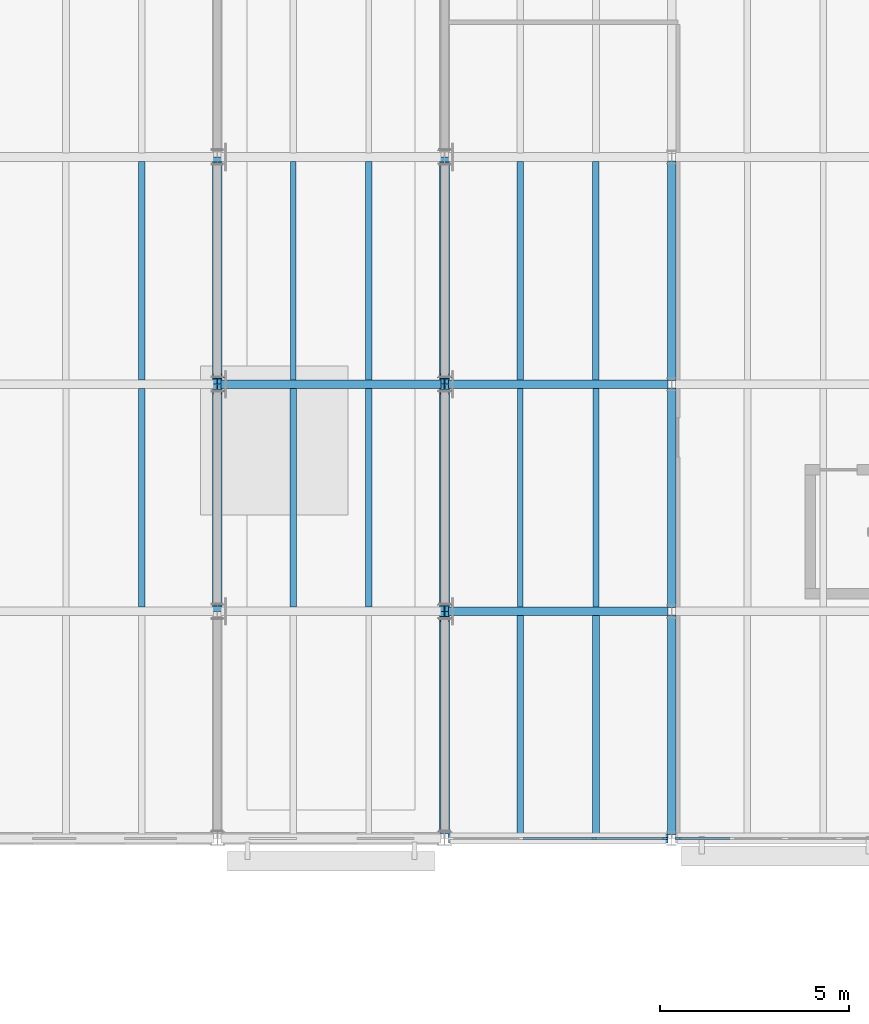
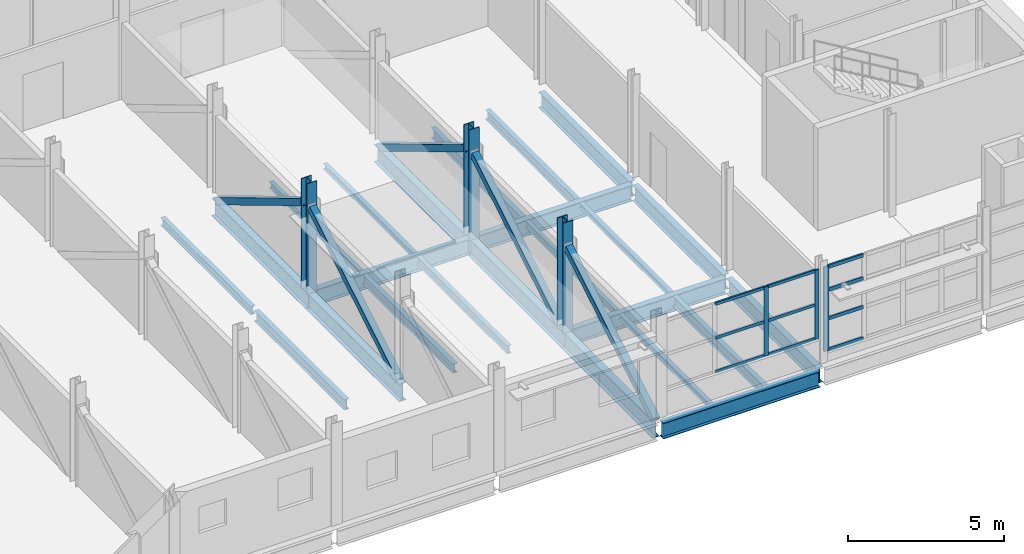
# One storey, part 21 of 92: 24 beams, 21 members, 2 elements without a shape of their own.
"""IFC4 building model written with IfcOpenShell, lengths in metres."""

from ifc_helpers import new_model, si_unit, direction, frame, origin, origin_2d, place, context, subcontext, project, spatial, rectangle, hollow_rectangle, i_section, extrude, material, material_profile, profile_set, type_object, element, aggregate, save


model = new_model("IFC4")

# Units and contexts
model_context = context("Model", 3, precision=1e-05, world=origin(), true_north=direction((0.0, 1.0)))
body_context = subcontext(model_context, "Body", "Model", "MODEL_VIEW")
ifc_project = project(units=[si_unit("LENGTHUNIT", "METRE"), si_unit("AREAUNIT", "SQUARE_METRE"), si_unit("VOLUMEUNIT", "CUBIC_METRE"), si_unit("PLANEANGLEUNIT", "RADIAN"), si_unit("MASSUNIT", "GRAM", prefix="KILO")], contexts=[model_context])

# Site, building, storey
site_placement = place(None, origin())
site = spatial("IfcSite", under=ifc_project, at=site_placement, CompositionType="ELEMENT")
building_placement = place(site_placement, origin())
building = spatial("IfcBuilding", under=site, at=building_placement, Name="Siltcreek Boulevard Central Fire Station", CompositionType="ELEMENT")
storey_placement = place(building_placement, frame((0.0, 0.0, 6.0)))
storey = spatial("IfcBuildingStorey", under=building, at=storey_placement, Name="L02", CompositionType="ELEMENT", Elevation=6.0)

# Beams
ifc_material_1 = material(Name="Structural steel ASTM A992 Gr50", Category="steel")
ifc_material_profile_1 = material_profile(ifc_material_1, i_section(OverallWidth=0.22802734375, OverallDepth=0.60791015625, WebThickness=0.01123046875, FlangeThickness=0.017333984375, at=origin_2d()), Name="W610X113")
ifc_profile_set_1 = profile_set([ifc_material_profile_1], Name="Structural steel ASTM A992 Gr50")
beam_type_1 = type_object("IfcBeamType", Name="BM_W610X113", PredefinedType="BEAM", material=ifc_profile_set_1)
for number, where, z_axis, x_axis, name in (
    (1, (96.0, 18.10009765625, -0.6240234375), (0.0, 1.0, 0.0), (-1.0, 0.0, 0.0), "L02 primary steel girder GY-0100"),
    (2, (96.0, 24.10009765625, -0.6240234375), (0.0, 1.0, 0.0), (-1.0, 0.0, 0.0), "L02 primary steel girder GY-0101"),
    (3, (96.0, 30.10009765625, -0.6240234375), (0.0, 1.0, 0.0), (-1.0, 0.0, 0.0), "L02 primary steel girder GY-0102"),
):
    element("IfcBeam", number, at=place(storey_placement, frame(where, z_axis=z_axis, x_axis=x_axis)), inside=storey, type_object=beam_type_1, Name=name, PredefinedType="BEAM", context=body_context, shape_type="SweptSolid", body=[
        extrude(i_section(OverallWidth=0.22802734375, OverallDepth=0.60791015625, WebThickness=0.01123046875, FlangeThickness=0.017333984375, at=origin_2d()), origin(), (0.0, 0.0, 1.0), 5.7998046875),
    ])
ifc_material_profile_2 = material_profile(ifc_material_1, i_section(OverallWidth=0.22998046875, OverallDepth=0.616943359375, WebThickness=0.01318359375, FlangeThickness=0.022216796875, at=origin_2d()), Name="W610X140")
ifc_profile_set_2 = profile_set([ifc_material_profile_2], Name="Structural steel ASTM A992 Gr50")
beam_type_2 = type_object("IfcBeamType", Name="BM_W610X140", PredefinedType="BEAM", material=ifc_profile_set_2)
for number, where, z_axis, x_axis, name in (
    (4, (90.10009765625, 18.0, -0.62841796875), (1.0, 0.0, 0.0), (0.0, 1.0, 0.0), "L02 primary steel girder GX-0048"),
    (5, (90.10009765625, 24.0, -0.62841796875), (1.0, 0.0, 0.0), (0.0, 1.0, 0.0), "L02 primary steel girder GX-0055"),
    (6, (84.10009765625, 30.0, -0.62841796875), (1.0, 0.0, 0.0), (0.0, 1.0, 0.0), "L02 primary steel girder GX-0061"),
    (7, (90.10009765625, 30.0, -0.62841796875), (1.0, 0.0, 0.0), (0.0, 1.0, 0.0), "L02 primary steel girder GX-0062"),
):
    element("IfcBeam", number, at=place(storey_placement, frame(where, z_axis=z_axis, x_axis=x_axis)), inside=storey, type_object=beam_type_2, Name=name, PredefinedType="BEAM", context=body_context, shape_type="SweptSolid", body=[
        extrude(i_section(OverallWidth=0.22998046875, OverallDepth=0.616943359375, WebThickness=0.01318359375, FlangeThickness=0.022216796875, at=origin_2d()), origin(), (0.0, 0.0, 1.0), 5.7998046875),
    ])
ifc_material_profile_3 = material_profile(ifc_material_1, i_section(OverallWidth=0.256103515625, OverallDepth=0.693115234375, WebThickness=0.014404296875, FlangeThickness=0.023681640625, at=origin_2d()), Name="W690X170")
ifc_profile_set_3 = profile_set([ifc_material_profile_3], Name="Structural steel ASTM A992 Gr50")
beam_type_3 = type_object("IfcBeamType", Name="BM_W690X170", PredefinedType="BEAM", material=ifc_profile_set_3)
for number, where, z_axis, x_axis, name in (
    (8, (84.0, 24.001953125, -0.66650390625), (0.0, 1.0, 0.0), (-1.0, 0.0, 0.0), "Pratt transfer truss TT4 bottom chord panel 2"),
    (9, (84.0, 30.001953125, -0.66650390625), (0.0, 1.0, 0.0), (-1.0, 0.0, 0.0), "Pratt transfer truss TT4 bottom chord panel 3"),
):
    element("IfcBeam", number, at=place(storey_placement, frame(where, z_axis=z_axis, x_axis=x_axis)), inside=storey, type_object=beam_type_3, Name=name, PredefinedType="BEAM", context=body_context, shape_type="SweptSolid", body=[
        extrude(i_section(OverallWidth=0.256103515625, OverallDepth=0.693115234375, WebThickness=0.014404296875, FlangeThickness=0.023681640625, at=origin_2d()), origin(), (0.0, 0.0, 1.0), 5.99609375),
    ])
beam_placement = place(storey_placement, frame((90.0, 18.18505859375, -0.66650390625), z_axis=(0.0, 1.0, 0.0), x_axis=(-1.0, 0.0, 0.0)))
element("IfcBeam", 10, at=beam_placement, inside=storey, type_object=beam_type_3, Name="Pratt transfer truss TT5 bottom chord panel 1", PredefinedType="BEAM", context=body_context, shape_type="SweptSolid", body=[
    extrude(i_section(OverallWidth=0.256103515625, OverallDepth=0.693115234375, WebThickness=0.014404296875, FlangeThickness=0.023681640625, at=origin_2d()), origin(), (0.0, 0.0, 1.0), 5.81298828125),
])
for number, where, z_axis, x_axis, name in (
    (11, (90.0, 24.001953125, -0.66650390625), (0.0, 1.0, 0.0), (-1.0, 0.0, 0.0), "Pratt transfer truss TT5 bottom chord panel 2"),
    (12, (90.0, 30.001953125, -0.66650390625), (0.0, 1.0, 0.0), (-1.0, 0.0, 0.0), "Pratt transfer truss TT5 bottom chord panel 3"),
):
    element("IfcBeam", number, at=place(storey_placement, frame(where, z_axis=z_axis, x_axis=x_axis)), inside=storey, type_object=beam_type_3, Name=name, PredefinedType="BEAM", context=body_context, shape_type="SweptSolid", body=[
        extrude(i_section(OverallWidth=0.256103515625, OverallDepth=0.693115234375, WebThickness=0.014404296875, FlangeThickness=0.023681640625, at=origin_2d()), origin(), (0.0, 0.0, 1.0), 5.99609375),
    ])

# Members
ifc_material_2 = material(Name="Structural steel ASTM A500 GrC", Category="steel")
ifc_material_profile_4 = material_profile(ifc_material_2, hollow_rectangle(XDim=0.25, YDim=0.25, WallThickness=0.012451171875, at=origin_2d()), Name="HSS250X250X12.5")
ifc_profile_set_4 = profile_set([ifc_material_profile_4], Name="Structural steel ASTM A500 GrC")
member_type_1 = type_object("IfcMemberType", Name="BR_HSS250_12", PredefinedType="BRACE", material=ifc_profile_set_4)
for number, where, z_axis, x_axis, name in (
    (13, (84.0, 24.199951171875, -0.324462890625), (0.0, 0.857769965344, 0.514033740676), (-1.0, 0.0, 0.0), "Pratt transfer truss TT4 diagonal web 2"),
    (14, (84.0, 35.800048828125, -0.324462890625), (0.0, -0.857769965344, 0.514033740676), (1.0, 0.0, 0.0), "Pratt transfer truss TT4 diagonal web 3"),
    (15, (90.0, 18.199951171875, -0.324462890625), (0.0, 0.857769965344, 0.514033740676), (-1.0, 0.0, 0.0), "Pratt transfer truss TT5 diagonal web 1"),
    (16, (90.0, 24.199951171875, -0.324462890625), (0.0, 0.857769965344, 0.514033740676), (-1.0, 0.0, 0.0), "Pratt transfer truss TT5 diagonal web 2"),
    (17, (90.0, 35.800048828125, -0.324462890625), (0.0, -0.857769965344, 0.514033740676), (1.0, 0.0, 0.0), "Pratt transfer truss TT5 diagonal web 3"),
):
    element("IfcMember", number, at=place(storey_placement, frame(where, z_axis=z_axis, x_axis=x_axis)), inside=storey, type_object=member_type_1, Name=name, PredefinedType="BRACE", context=body_context, shape_type="SweptSolid", body=[
        extrude(hollow_rectangle(XDim=0.25, YDim=0.25, WallThickness=0.012451171875, at=origin_2d()), origin(), (0.0, 0.0, 1.0), 6.528564453125),
    ])
ifc_material_profile_5 = material_profile(ifc_material_1, i_section(OverallWidth=0.3740234375, OverallDepth=0.3720703125, WebThickness=0.016357421875, FlangeThickness=0.026123046875, at=origin_2d()), Name="W360X196")
ifc_profile_set_5 = profile_set([ifc_material_profile_5], Name="Structural steel ASTM A992 Gr50")
member_type_2 = type_object("IfcMemberType", Name="CH_W360X196", PredefinedType="CHORD", material=ifc_profile_set_5)
for number, where, z_axis, x_axis, name in (
    (18, (84.0, 30.0, -0.324462890625), (0.0, 0.0, 1.0), (1.0, 0.0, 0.0), "Pratt transfer truss TT4 vertical post 2"),
    (19, (90.0, 24.0, -0.324462890625), (0.0, 0.0, 1.0), (1.0, 0.0, 0.0), "Pratt transfer truss TT5 vertical post 1"),
    (20, (90.0, 30.0, -0.324462890625), (0.0, 0.0, 1.0), (1.0, 0.0, 0.0), "Pratt transfer truss TT5 vertical post 2"),
):
    element("IfcMember", number, at=place(storey_placement, frame(where, z_axis=z_axis, x_axis=x_axis)), inside=storey, type_object=member_type_2, Name=name, PredefinedType="CHORD", context=body_context, shape_type="SweptSolid", body=[
        extrude(i_section(OverallWidth=0.3740234375, OverallDepth=0.3720703125, WebThickness=0.016357421875, FlangeThickness=0.026123046875, at=origin_2d()), origin(), (0.0, 0.0, 1.0), 4.324462890625),
    ])

# Curtain wall, members
ifc_material_3 = material(Name="Anodized aluminum and low-E insulated glazing", Category="aluminium")
curtain_wall_type_1 = type_object("IfcCurtainWallType", Name="CW_SYS_24", PredefinedType="USERDEFINED", material=ifc_material_3)
curtain_wall_1_placement = place(storey_placement, origin())
curtain_wall_1 = element("IfcCurtainWall", 21, at=curtain_wall_1_placement, inside=storey, type_object=curtain_wall_type_1, Name="L02 V2 unitised curtain wall CW-023", ObjectType="CURTAIN WALL", PredefinedType="USERDEFINED")
ifc_material_4 = material(Name="Anodized 6063-T6 aluminum framing", Category="aluminium")
ifc_material_profile_6 = material_profile(ifc_material_4, rectangle(XDim=0.06005859375, YDim=0.14990234375, at=origin_2d()), Name="MULL60X150")
ifc_profile_set_6 = profile_set([ifc_material_profile_6], Name="Anodized 6063-T6 aluminum framing")
member_type_3 = type_object("IfcMemberType", Name="CWM_60X150", PredefinedType="MULLION", material=ifc_profile_set_6)
member_1_placement = place(storey_placement, frame((93.95166015625, 18.0, 0.919921875), z_axis=(0.0, 0.0, 1.0), x_axis=(0.0, 1.0, 0.0)))
member_1 = element("IfcMember", 22, at=member_1_placement, type_object=member_type_3, Name="CW-023 mullion 3", PredefinedType="MULLION", context=body_context, shape_type="SweptSolid", body=[
    extrude(rectangle(XDim=0.06005859375, YDim=0.14990234375, at=origin_2d()), origin(), (0.0, 0.0, 1.0), 2.698974609375),
])
member_2_placement = place(storey_placement, frame((95.824951171875, 18.0, 0.919921875), z_axis=(0.0, 0.0, 1.0), x_axis=(0.0, 1.0, 0.0)))
member_2 = element("IfcMember", 23, at=member_2_placement, type_object=member_type_3, Name="CW-023 mullion 4", PredefinedType="MULLION", context=body_context, shape_type="SweptSolid", body=[
    extrude(rectangle(XDim=0.06005859375, YDim=0.14990234375, at=origin_2d()), origin(), (0.0, 0.0, 1.0), 2.698974609375),
])

# Curtain wall, member
curtain_wall_type_2 = type_object("IfcCurtainWallType", Name="CW_SYS_25", PredefinedType="USERDEFINED", material=ifc_material_3)
curtain_wall_2_placement = place(storey_placement, origin())
curtain_wall_2 = element("IfcCurtainWall", 24, at=curtain_wall_2_placement, inside=storey, type_object=curtain_wall_type_2, Name="L02 V2 unitised curtain wall CW-024", ObjectType="CURTAIN WALL", PredefinedType="USERDEFINED")
ifc_material_profile_7 = material_profile(ifc_material_4, rectangle(XDim=0.06494140625, YDim=0.175048828125, at=origin_2d()), Name="MULL65X175")
ifc_profile_set_7 = profile_set([ifc_material_profile_7], Name="Anodized 6063-T6 aluminum framing")
member_type_4 = type_object("IfcMemberType", Name="CWM_65X175", PredefinedType="MULLION", material=ifc_profile_set_7)
member_3_placement = place(storey_placement, frame((96.177490234375, 18.0, 0.320068359375), z_axis=(0.0, 0.0, 1.0), x_axis=(0.0, 1.0, 0.0)))
member_3 = element("IfcMember", 25, at=member_3_placement, type_object=member_type_4, Name="CW-024 mullion 1", PredefinedType="MULLION", context=body_context, shape_type="SweptSolid", body=[
    extrude(rectangle(XDim=0.06494140625, YDim=0.175048828125, at=origin_2d()), origin(), (0.0, 0.0, 1.0), 3.298828125),
])

# Member
ifc_material_profile_8 = material_profile(ifc_material_4, rectangle(XDim=0.06005859375, YDim=0.114990234375, at=origin_2d()), Name="TRAN60X115")
ifc_profile_set_8 = profile_set([ifc_material_profile_8], Name="Anodized 6063-T6 aluminum framing")
member_type_5 = type_object("IfcMemberType", Name="CWT_60X115", PredefinedType="USERDEFINED", material=ifc_profile_set_8)
member_4_placement = place(storey_placement, frame((92.078369140625, 18.0, 0.949951171875), z_axis=(1.0, 0.0, 0.0), x_axis=(0.0, 1.0, 0.0)))
member_4 = element("IfcMember", 26, at=member_4_placement, type_object=member_type_5, Name="CW-023 transom 2.1", ObjectType="TRANSOM", PredefinedType="USERDEFINED", context=body_context, shape_type="SweptSolid", body=[
    extrude(rectangle(XDim=0.06005859375, YDim=0.114990234375, at=origin_2d()), origin(), (0.0, 0.0, 1.0), 1.84326171875),
])

member_5_placement = place(storey_placement, frame((92.078369140625, 18.0, 2.26953125), z_axis=(1.0, 0.0, 0.0), x_axis=(0.0, 1.0, 0.0)))
member_5 = element("IfcMember", 27, at=member_5_placement, type_object=member_type_5, Name="CW-023 transom 2.2", ObjectType="TRANSOM", PredefinedType="USERDEFINED", context=body_context, shape_type="SweptSolid", body=[
    extrude(rectangle(XDim=0.06005859375, YDim=0.114990234375, at=origin_2d()), origin(), (0.0, 0.0, 1.0), 1.84326171875),
])

member_6_placement = place(storey_placement, frame((92.078369140625, 18.0, 3.589111328125), z_axis=(1.0, 0.0, 0.0), x_axis=(0.0, 1.0, 0.0)))
member_6 = element("IfcMember", 28, at=member_6_placement, type_object=member_type_5, Name="CW-023 transom 2.3", ObjectType="TRANSOM", PredefinedType="USERDEFINED", context=body_context, shape_type="SweptSolid", body=[
    extrude(rectangle(XDim=0.06005859375, YDim=0.114990234375, at=origin_2d()), origin(), (0.0, 0.0, 1.0), 1.84326171875),
])

member_7_placement = place(storey_placement, frame((93.981689453125, 18.0, 0.949951171875), z_axis=(1.0, 0.0, 0.0), x_axis=(0.0, 1.0, 0.0)))
member_7 = element("IfcMember", 29, at=member_7_placement, type_object=member_type_5, Name="CW-023 transom 3.1", ObjectType="TRANSOM", PredefinedType="USERDEFINED", context=body_context, shape_type="SweptSolid", body=[
    extrude(rectangle(XDim=0.06005859375, YDim=0.114990234375, at=origin_2d()), origin(), (0.0, 0.0, 1.0), 1.813232421875),
])

member_8_placement = place(storey_placement, frame((93.981689453125, 18.0, 2.26953125), z_axis=(1.0, 0.0, 0.0), x_axis=(0.0, 1.0, 0.0)))
member_8 = element("IfcMember", 30, at=member_8_placement, type_object=member_type_5, Name="CW-023 transom 3.2", ObjectType="TRANSOM", PredefinedType="USERDEFINED", context=body_context, shape_type="SweptSolid", body=[
    extrude(rectangle(XDim=0.06005859375, YDim=0.114990234375, at=origin_2d()), origin(), (0.0, 0.0, 1.0), 1.813232421875),
])

member_9_placement = place(storey_placement, frame((93.981689453125, 18.0, 3.589111328125), z_axis=(1.0, 0.0, 0.0), x_axis=(0.0, 1.0, 0.0)))
member_9 = element("IfcMember", 31, at=member_9_placement, type_object=member_type_5, Name="CW-023 transom 3.3", ObjectType="TRANSOM", PredefinedType="USERDEFINED", context=body_context, shape_type="SweptSolid", body=[
    extrude(rectangle(XDim=0.06005859375, YDim=0.114990234375, at=origin_2d()), origin(), (0.0, 0.0, 1.0), 1.813232421875),
])

aggregate(curtain_wall_1, [member_1, member_2, member_4, member_5, member_6, member_7, member_8, member_9])

ifc_material_profile_9 = material_profile(ifc_material_4, rectangle(XDim=0.06494140625, YDim=0.135009765625, at=origin_2d()), Name="TRAN65X135")
ifc_profile_set_9 = profile_set([ifc_material_profile_9], Name="Anodized 6063-T6 aluminum framing")
member_type_6 = type_object("IfcMemberType", Name="CWT_65X135", PredefinedType="USERDEFINED", material=ifc_profile_set_9)
member_10_placement = place(storey_placement, frame((96.2099609375, 18.0, 0.3525390625), z_axis=(1.0, 0.0, 0.0), x_axis=(0.0, 1.0, 0.0)))
member_10 = element("IfcMember", 32, at=member_10_placement, type_object=member_type_6, Name="CW-024 transom 1.1", ObjectType="TRANSOM", PredefinedType="USERDEFINED", context=body_context, shape_type="SweptSolid", body=[
    extrude(rectangle(XDim=0.06494140625, YDim=0.135009765625, at=origin_2d()), origin(), (0.0, 0.0, 1.0), 1.330078125),
])

member_11_placement = place(storey_placement, frame((96.2099609375, 18.0, 1.573486328125), z_axis=(1.0, 0.0, 0.0), x_axis=(0.0, 1.0, 0.0)))
member_11 = element("IfcMember", 33, at=member_11_placement, type_object=member_type_6, Name="CW-024 transom 1.2", ObjectType="TRANSOM", PredefinedType="USERDEFINED", context=body_context, shape_type="SweptSolid", body=[
    extrude(rectangle(XDim=0.06494140625, YDim=0.135009765625, at=origin_2d()), origin(), (0.0, 0.0, 1.0), 1.330078125),
])

member_12_placement = place(storey_placement, frame((96.2099609375, 18.0, 2.6953125), z_axis=(1.0, 0.0, 0.0), x_axis=(0.0, 1.0, 0.0)))
member_12 = element("IfcMember", 34, at=member_12_placement, type_object=member_type_6, Name="CW-024 transom 1.3", ObjectType="TRANSOM", PredefinedType="USERDEFINED", context=body_context, shape_type="SweptSolid", body=[
    extrude(rectangle(XDim=0.06494140625, YDim=0.135009765625, at=origin_2d()), origin(), (0.0, 0.0, 1.0), 1.330078125),
])

member_13_placement = place(storey_placement, frame((96.2099609375, 18.0, 3.58642578125), z_axis=(1.0, 0.0, 0.0), x_axis=(0.0, 1.0, 0.0)))
member_13 = element("IfcMember", 35, at=member_13_placement, type_object=member_type_6, Name="CW-024 transom 1.4", ObjectType="TRANSOM", PredefinedType="USERDEFINED", context=body_context, shape_type="SweptSolid", body=[
    extrude(rectangle(XDim=0.06494140625, YDim=0.135009765625, at=origin_2d()), origin(), (0.0, 0.0, 1.0), 1.330078125),
])

aggregate(curtain_wall_2, [member_3, member_10, member_11, member_12, member_13])

# Beams
ifc_material_profile_10 = material_profile(ifc_material_1, i_section(OverallWidth=0.1650390625, OverallDepth=0.200927734375, WebThickness=0.006103515625, FlangeThickness=0.01025390625, at=origin_2d()), Name="W200X36")
ifc_profile_set_10 = profile_set([ifc_material_profile_10], Name="Structural steel ASTM A992 Gr50")
beam_type_4 = type_object("IfcBeamType", Name="JST_W200X36", PredefinedType="JOIST", material=ifc_profile_set_10)
for number, where, z_axis, x_axis, name in (
    (36, (92.0, 18.113037109375, -0.42041015625), (0.0, 1.0, 0.0), (-1.0, 0.0, 0.0), "L02 secondary steel floor joist 0037"),
    (37, (94.0, 24.113037109375, -0.42041015625), (0.0, 1.0, 0.0), (-1.0, 0.0, 0.0), "L02 secondary steel floor joist 0052"),
    (38, (88.0, 30.113037109375, -0.42041015625), (0.0, 1.0, 0.0), (-1.0, 0.0, 0.0), "L02 secondary steel floor joist 0062"),
):
    element("IfcBeam", number, at=place(storey_placement, frame(where, z_axis=z_axis, x_axis=x_axis)), inside=storey, type_object=beam_type_4, Name=name, PredefinedType="JOIST", context=body_context, shape_type="SweptSolid", body=[
        extrude(i_section(OverallWidth=0.1650390625, OverallDepth=0.200927734375, WebThickness=0.006103515625, FlangeThickness=0.01025390625, at=origin_2d()), origin(), (0.0, 0.0, 1.0), 5.77392578125),
    ])
ifc_material_profile_11 = material_profile(ifc_material_1, i_section(OverallWidth=0.14697265625, OverallDepth=0.261962890625, WebThickness=0.006591796875, FlangeThickness=0.01123046875, at=origin_2d()), Name="W250X39")
ifc_profile_set_11 = profile_set([ifc_material_profile_11], Name="Structural steel ASTM A992 Gr50")
beam_type_5 = type_object("IfcBeamType", Name="JST_W250X39", PredefinedType="JOIST", material=ifc_profile_set_11)
for number, where, z_axis, x_axis, name in (
    (39, (92.0, 24.113037109375, -0.450927734375), (0.0, 1.0, 0.0), (-1.0, 0.0, 0.0), "L02 secondary steel floor joist 0051"),
    (40, (86.0, 30.113037109375, -0.450927734375), (0.0, 1.0, 0.0), (-1.0, 0.0, 0.0), "L02 secondary steel floor joist 0061"),
):
    element("IfcBeam", number, at=place(storey_placement, frame(where, z_axis=z_axis, x_axis=x_axis)), inside=storey, type_object=beam_type_5, Name=name, PredefinedType="JOIST", context=body_context, shape_type="SweptSolid", body=[
        extrude(i_section(OverallWidth=0.14697265625, OverallDepth=0.261962890625, WebThickness=0.006591796875, FlangeThickness=0.01123046875, at=origin_2d()), origin(), (0.0, 0.0, 1.0), 5.77392578125),
    ])
ifc_material_profile_12 = material_profile(ifc_material_1, i_section(OverallWidth=0.166015625, OverallDepth=0.31298828125, WebThickness=0.006591796875, FlangeThickness=0.01123046875, at=origin_2d()), Name="W310X45")
ifc_profile_set_12 = profile_set([ifc_material_profile_12], Name="Structural steel ASTM A992 Gr50")
beam_type_6 = type_object("IfcBeamType", Name="JST_W310X45", PredefinedType="JOIST", material=ifc_profile_set_12)
for number, where, z_axis, x_axis, name in (
    (41, (88.0, 24.113037109375, -0.4765625), (0.0, 1.0, 0.0), (-1.0, 0.0, 0.0), "L02 secondary steel floor joist 0050"),
    (42, (82.0, 30.113037109375, -0.4765625), (0.0, 1.0, 0.0), (-1.0, 0.0, 0.0), "L02 secondary steel floor joist 0060"),
):
    element("IfcBeam", number, at=place(storey_placement, frame(where, z_axis=z_axis, x_axis=x_axis)), inside=storey, type_object=beam_type_6, Name=name, PredefinedType="JOIST", context=body_context, shape_type="SweptSolid", body=[
        extrude(i_section(OverallWidth=0.166015625, OverallDepth=0.31298828125, WebThickness=0.006591796875, FlangeThickness=0.01123046875, at=origin_2d()), origin(), (0.0, 0.0, 1.0), 5.77392578125),
    ])
ifc_material_profile_13 = material_profile(ifc_material_1, i_section(OverallWidth=0.172119140625, OverallDepth=0.35791015625, WebThickness=0.0078125, FlangeThickness=0.01318359375, at=origin_2d()), Name="W360X57")
ifc_profile_set_13 = profile_set([ifc_material_profile_13], Name="Structural steel ASTM A992 Gr50")
beam_type_7 = type_object("IfcBeamType", Name="JST_W360X57", PredefinedType="JOIST", material=ifc_profile_set_13)
for number, where, z_axis, x_axis, name in (
    (43, (86.0, 24.113037109375, -0.4990234375), (0.0, 1.0, 0.0), (-1.0, 0.0, 0.0), "L02 secondary steel floor joist 0049"),
    (44, (94.0, 30.113037109375, -0.4990234375), (0.0, 1.0, 0.0), (-1.0, 0.0, 0.0), "L02 secondary steel floor joist 0064"),
):
    element("IfcBeam", number, at=place(storey_placement, frame(where, z_axis=z_axis, x_axis=x_axis)), inside=storey, type_object=beam_type_7, Name=name, PredefinedType="JOIST", context=body_context, shape_type="SweptSolid", body=[
        extrude(i_section(OverallWidth=0.172119140625, OverallDepth=0.35791015625, WebThickness=0.0078125, FlangeThickness=0.01318359375, at=origin_2d()), origin(), (0.0, 0.0, 1.0), 5.77392578125),
    ])
ifc_material_profile_14 = material_profile(ifc_material_1, i_section(OverallWidth=0.177001953125, OverallDepth=0.403076171875, WebThickness=0.007568359375, FlangeThickness=0.010986328125, at=origin_2d()), Name="W410X53")
ifc_profile_set_14 = profile_set([ifc_material_profile_14], Name="Structural steel ASTM A992 Gr50")
beam_type_8 = type_object("IfcBeamType", Name="JST_W410X53", PredefinedType="JOIST", material=ifc_profile_set_14)
for number, where, z_axis, x_axis, name in (
    (45, (94.0, 18.113037109375, -0.521484375), (0.0, 1.0, 0.0), (-1.0, 0.0, 0.0), "L02 secondary steel floor joist 0038"),
    (46, (82.0, 24.113037109375, -0.521484375), (0.0, 1.0, 0.0), (-1.0, 0.0, 0.0), "L02 secondary steel floor joist 0048"),
    (47, (92.0, 30.113037109375, -0.521484375), (0.0, 1.0, 0.0), (-1.0, 0.0, 0.0), "L02 secondary steel floor joist 0063"),
):
    element("IfcBeam", number, at=place(storey_placement, frame(where, z_axis=z_axis, x_axis=x_axis)), inside=storey, type_object=beam_type_8, Name=name, PredefinedType="JOIST", context=body_context, shape_type="SweptSolid", body=[
        extrude(i_section(OverallWidth=0.177001953125, OverallDepth=0.403076171875, WebThickness=0.007568359375, FlangeThickness=0.010986328125, at=origin_2d()), origin(), (0.0, 0.0, 1.0), 5.77392578125),
    ])

save(model, "model.ifc")
